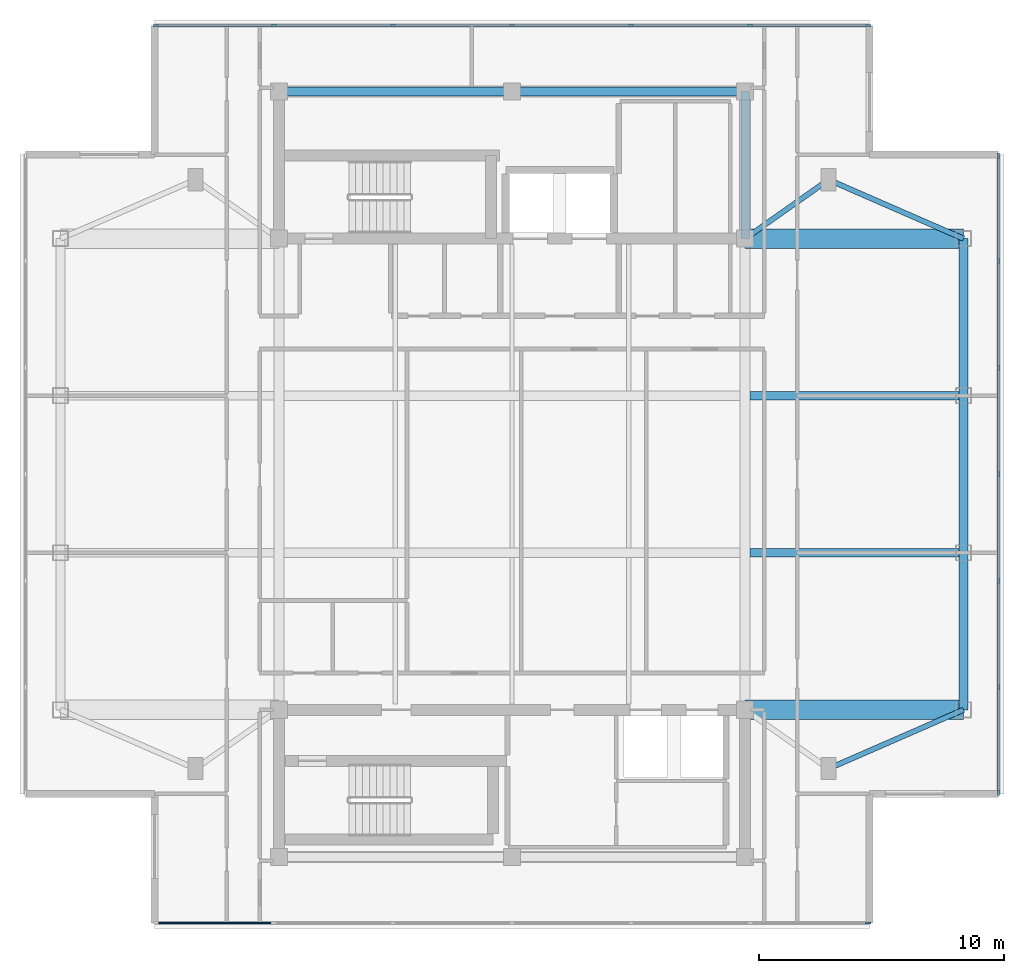
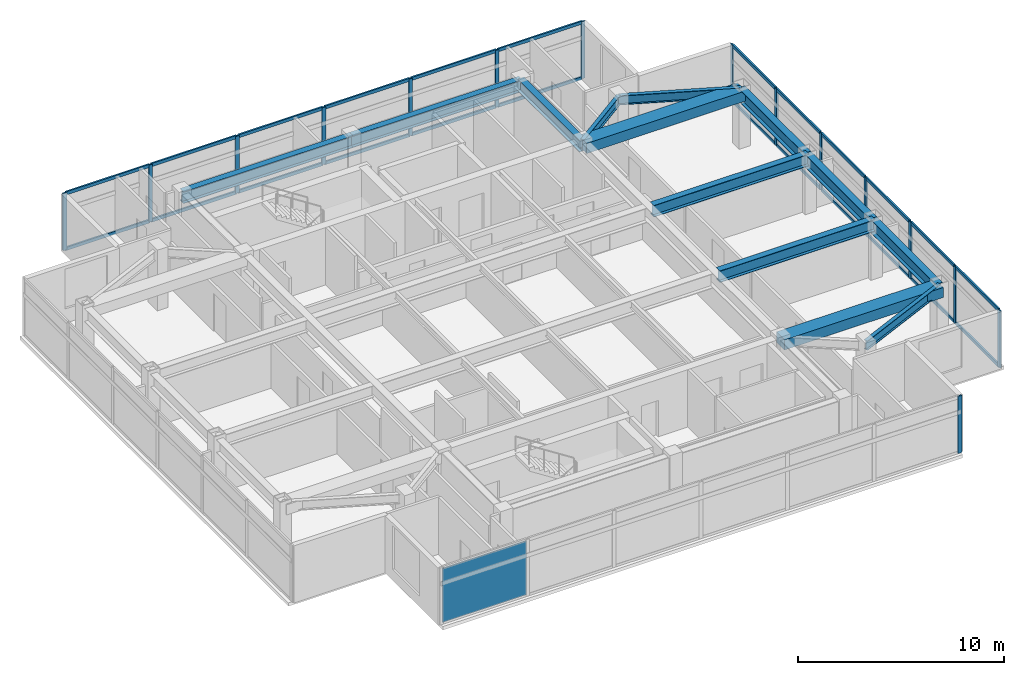
# One storey, part 3 of 10: 39 members, 13 beams, 1 plate, 3 elements without a shape of their own.
"""IFC4 building model written with IfcOpenShell, lengths in metres."""

from ifc_helpers import new_model, si_unit, direction, frame, origin, origin_2d, place, context, subcontext, project, spatial, rectangle, i_section, extrude, material, layer, layer_set, material_profile, profile_set, type_object, element, aggregate, save


model = new_model("IFC4")

# Units and contexts
model_context = context("Model", 3, precision=1e-05, world=origin(), true_north=direction((0.0, 1.0)))
body_context = subcontext(model_context, "Body", "Model", "MODEL_VIEW")
ifc_project = project(units=[si_unit("LENGTHUNIT", "METRE"), si_unit("AREAUNIT", "SQUARE_METRE"), si_unit("VOLUMEUNIT", "CUBIC_METRE"), si_unit("PLANEANGLEUNIT", "RADIAN"), si_unit("MASSUNIT", "GRAM", prefix="KILO")], contexts=[model_context])

# Site, building, storey
site_placement = place(None, origin())
site = spatial("IfcSite", under=ifc_project, at=site_placement, CompositionType="ELEMENT")
building_placement = place(site_placement, origin())
building = spatial("IfcBuilding", under=site, at=building_placement, Name="Mirazonda Arch Towers", CompositionType="ELEMENT")
storey_placement = place(building_placement, frame((0.0, 0.0, 249.10009765625)))
storey = spatial("IfcBuildingStorey", under=building, at=storey_placement, Name="L71", CompositionType="ELEMENT", Elevation=249.10009765625)

# Beams
ifc_material_1 = material(Name="Steel ASTM A992 Grade 50", Category="steel")
ifc_material_profile_1 = material_profile(ifc_material_1, i_section(OverallWidth=0.381103515625, OverallDepth=0.77294921875, WebThickness=0.0166015625, FlangeThickness=0.027099609375, at=origin_2d()), Name="W30X173")
ifc_profile_set_1 = profile_set([ifc_material_profile_1], Name="Steel ASTM A992 Grade 50")
beam_type_1 = type_object("IfcBeamType", Name="BM-EXT-W30X173", PredefinedType="USERDEFINED", material=ifc_profile_set_1)
beam_1_placement = place(storey_placement, frame((38.89990234375, 18.39990234375, 3.013427734375), z_axis=(0.0, 1.0, 0.0), x_axis=(-1.0, 0.0, 0.0)))
element("IfcBeam", 1, at=beam_1_placement, inside=storey, type_object=beam_type_1, Name="L71 Floor Beam BM-T1-L71-NS-E-18", ObjectType="GIRDER", PredefinedType="USERDEFINED", context=body_context, shape_type="SweptSolid", body=[
    extrude(i_section(OverallWidth=0.381103515625, OverallDepth=0.77294921875, WebThickness=0.0166015625, FlangeThickness=0.027099609375, at=origin_2d()), origin(), (0.0, 0.0, 1.0), 6.400146484375),
])
beam_2_placement = place(storey_placement, frame((38.89990234375, 24.800048828125, 3.013427734375), z_axis=(0.0, 1.0, 0.0), x_axis=(-1.0, 0.0, 0.0)))
element("IfcBeam", 2, at=beam_2_placement, inside=storey, type_object=beam_type_1, Name="L71 Floor Beam BM-T1-L71-NS-E-24", ObjectType="GIRDER", PredefinedType="USERDEFINED", context=body_context, shape_type="SweptSolid", body=[
    extrude(i_section(OverallWidth=0.381103515625, OverallDepth=0.77294921875, WebThickness=0.0166015625, FlangeThickness=0.027099609375, at=origin_2d()), origin(), (0.0, 0.0, 1.0), 6.39990234375),
])
beam_3_placement = place(storey_placement, frame((38.89990234375, 31.199951171875, 3.013427734375), z_axis=(0.0, 1.0, 0.0), x_axis=(-1.0, 0.0, 0.0)))
element("IfcBeam", 3, at=beam_3_placement, inside=storey, type_object=beam_type_1, Name="L71 Floor Beam BM-T1-L71-NS-E-31", ObjectType="GIRDER", PredefinedType="USERDEFINED", context=body_context, shape_type="SweptSolid", body=[
    extrude(i_section(OverallWidth=0.381103515625, OverallDepth=0.77294921875, WebThickness=0.0166015625, FlangeThickness=0.027099609375, at=origin_2d()), origin(), (0.0, 0.0, 1.0), 6.400146484375),
])
ifc_material_profile_2 = material_profile(ifc_material_1, i_section(OverallWidth=0.214111328125, OverallDepth=0.549072265625, WebThickness=0.0146484375, FlangeThickness=0.023681640625, at=origin_2d()), Name="W21X93")
ifc_profile_set_2 = profile_set([ifc_material_profile_2], Name="Steel ASTM A992 Grade 50")
beam_type_2 = type_object("IfcBeamType", Name="BM-INT-W21X93", PredefinedType="BEAM", material=ifc_profile_set_2)
beam_4_placement = place(storey_placement, frame((33.39990234375, 16.0, 3.12548828125), z_axis=(0.916545343703, 0.399930785183, 0.0), x_axis=(-0.399930785183, 0.916545343703, 0.0)))
element("IfcBeam", 4, at=beam_4_placement, inside=storey, type_object=beam_type_2, Name="L71 Floor Beam BM-T1-L71-PL-SE2", PredefinedType="BEAM", context=body_context, shape_type="SweptSolid", body=[
    extrude(i_section(OverallWidth=0.214111328125, OverallDepth=0.549072265625, WebThickness=0.0146484375, FlangeThickness=0.023681640625, at=origin_2d()), origin(), (0.0, 0.0, 1.0), 6.000732421875),
])
beam_5_placement = place(storey_placement, frame((33.39990234375, 40.0, 3.12548828125), z_axis=(-0.816971114901, -0.576678591087, 0.0), x_axis=(0.576678591087, -0.816971114901, 0.0)))
element("IfcBeam", 5, at=beam_5_placement, inside=storey, type_object=beam_type_2, Name="L71 Floor Beam BM-T1-L71-PL-NE1", PredefinedType="BEAM", context=body_context, shape_type="SweptSolid", body=[
    extrude(i_section(OverallWidth=0.214111328125, OverallDepth=0.549072265625, WebThickness=0.0146484375, FlangeThickness=0.023681640625, at=origin_2d()), origin(), (0.0, 0.0, 1.0), 4.16162109375),
])
beam_6_placement = place(storey_placement, frame((33.39990234375, 40.0, 3.12548828125), z_axis=(0.916545343703, -0.399930785183, 0.0), x_axis=(0.399930785183, 0.916545343703, 0.0)))
element("IfcBeam", 6, at=beam_6_placement, inside=storey, type_object=beam_type_2, Name="L71 Floor Beam BM-T1-L71-PL-NE2", PredefinedType="BEAM", context=body_context, shape_type="SweptSolid", body=[
    extrude(i_section(OverallWidth=0.214111328125, OverallDepth=0.549072265625, WebThickness=0.0146484375, FlangeThickness=0.023681640625, at=origin_2d()), origin(), (0.0, 0.0, 1.0), 6.000732421875),
])
ifc_material_profile_3 = material_profile(ifc_material_1, i_section(OverallWidth=0.35498046875, OverallDepth=0.696044921875, WebThickness=0.015380859375, FlangeThickness=0.02490234375, at=origin_2d()), Name="W27X146")
ifc_profile_set_3 = profile_set([ifc_material_profile_3], Name="Steel ASTM A992 Grade 50")
beam_type_3 = type_object("IfcBeamType", Name="BM-INT-W27X146", PredefinedType="BEAM", material=ifc_profile_set_3)
for number, where, z_axis, x_axis, name in (
    (7, (30.199951171875, 24.800048828125, 3.052001953125), (1.0, 0.0, 0.0), (0.0, 1.0, 0.0), "L71 Floor Beam BM-T1-L71-GE2"),
    (8, (30.199951171875, 31.199951171875, 3.052001953125), (1.0, 0.0, 0.0), (0.0, 1.0, 0.0), "L71 Floor Beam BM-T1-L71-GE3"),
):
    element("IfcBeam", number, at=place(storey_placement, frame(where, z_axis=z_axis, x_axis=x_axis)), inside=storey, type_object=beam_type_3, Name=name, PredefinedType="BEAM", context=body_context, shape_type="SweptSolid", body=[
        extrude(i_section(OverallWidth=0.35498046875, OverallDepth=0.696044921875, WebThickness=0.015380859375, FlangeThickness=0.02490234375, at=origin_2d()), origin(), (0.0, 0.0, 1.0), 8.699951171875),
    ])
for number, where, z_axis, x_axis, name in (
    (9, (11.0, 43.60009765625, 3.052001953125), (1.0, 0.0, 0.0), (0.0, 1.0, 0.0), "L71 Floor Beam BM-T1-L71-CN1"),
    (10, (20.5, 43.60009765625, 3.052001953125), (1.0, 0.0, 0.0), (0.0, 1.0, 0.0), "L71 Floor Beam BM-T1-L71-CN2"),
):
    element("IfcBeam", number, at=place(storey_placement, frame(where, z_axis=z_axis, x_axis=x_axis)), inside=storey, type_object=beam_type_3, Name=name, PredefinedType="BEAM", context=body_context, shape_type="SweptSolid", body=[
        extrude(i_section(OverallWidth=0.35498046875, OverallDepth=0.696044921875, WebThickness=0.015380859375, FlangeThickness=0.02490234375, at=origin_2d()), origin(), (0.0, 0.0, 1.0), 9.5),
    ])
beam_7_placement = place(storey_placement, frame((30.0, 37.60009765625, 3.052001953125), z_axis=(0.0, 1.0, 0.0), x_axis=(-1.0, 0.0, 0.0)))
element("IfcBeam", 11, at=beam_7_placement, inside=storey, type_object=beam_type_3, Name="L71 Floor Beam BM-T1-L71-CNE", PredefinedType="BEAM", context=body_context, shape_type="SweptSolid", body=[
    extrude(i_section(OverallWidth=0.35498046875, OverallDepth=0.696044921875, WebThickness=0.015380859375, FlangeThickness=0.02490234375, at=origin_2d()), origin(), (0.0, 0.0, 1.0), 6.0),
])
ifc_material_2 = material(Name="Concrete C60/75", Category="concrete")
ifc_material_profile_4 = material_profile(ifc_material_2, rectangle(XDim=0.800048828125, YDim=0.60009765625, at=origin_2d()), Name="RCCB800x600")
ifc_profile_set_4 = profile_set([ifc_material_profile_4], Name="Concrete C60/75")
beam_type_4 = type_object("IfcBeamType", Name="CB-INT-RCCB800x600", PredefinedType="SPANDREL", material=ifc_profile_set_4)
for number, where, z_axis, x_axis, name in (
    (12, (30.0, 37.60009765625, 3.099853515625), (1.0, 0.0, 0.0), (0.0, 1.0, 0.0), "L71 Floor Beam CBC-T1-L71-NE"),
    (13, (30.0, 18.39990234375, 3.099853515625), (1.0, 0.0, 0.0), (0.0, 1.0, 0.0), "L71 Floor Beam CBC-T1-L71-SE"),
):
    element("IfcBeam", number, at=place(storey_placement, frame(where, z_axis=z_axis, x_axis=x_axis)), inside=storey, type_object=beam_type_4, Name=name, PredefinedType="SPANDREL", context=body_context, shape_type="SweptSolid", body=[
        extrude(rectangle(XDim=0.800048828125, YDim=0.60009765625, at=origin_2d()), origin(), (0.0, 0.0, 1.0), 8.89990234375),
    ])

# Curtain wall, member
ifc_material_3 = material(Name="Anodised Aluminium and Low-E Glass", Category="aluminium")
curtain_wall_type = type_object("IfcCurtainWallType", Name="CW-OBS-LANTERN", PredefinedType="NOTDEFINED", material=ifc_material_3)
curtain_wall_1_placement = place(storey_placement, origin())
curtain_wall_1 = element("IfcCurtainWall", 14, at=curtain_wall_1_placement, inside=storey, type_object=curtain_wall_type, Name="L71 T1 S Facade CW-L71-T1-S", PredefinedType="NOTDEFINED")
ifc_material_4 = material(Name="Anodised Aluminium Alloy", Category="aluminium")
ifc_material_profile_5 = material_profile(ifc_material_4, rectangle(XDim=0.090087890625, YDim=0.2099609375, at=origin_2d()), Name="ALU-MULL-90x210")
ifc_profile_set_5 = profile_set([ifc_material_profile_5], Name="Anodised Aluminium Alloy")
member_type_1 = type_object("IfcMemberType", Name="MULL-CW-OBS-LANTERN", PredefinedType="MULLION", material=ifc_profile_set_5)
member_1_placement = place(storey_placement, frame((35.02001953125, 9.7099609375, 0.0), z_axis=(0.0, 0.0, 1.0), x_axis=(0.0, -1.0, 0.0)))
member_1 = element("IfcMember", 15, at=member_1_placement, type_object=member_type_1, Name="CW-110 mullion 1", PredefinedType="MULLION", context=body_context, shape_type="SweptSolid", body=[
    extrude(rectangle(XDim=0.090087890625, YDim=0.2099609375, at=origin_2d()), origin(), (0.0, 0.0, 1.0), 3.3798828125),
])

# Curtain wall, members
curtain_wall_2_placement = place(storey_placement, origin())
curtain_wall_2 = element("IfcCurtainWall", 16, at=curtain_wall_2_placement, inside=storey, type_object=curtain_wall_type, Name="L71 T1 E Facade CW-L71-T1-E", PredefinedType="NOTDEFINED")
member_2_placement = place(storey_placement, frame((40.330078125, 15.02001953125, 0.0), z_axis=(0.0, 0.0, 1.0), x_axis=(-1.0, 0.0, 0.0)))
member_2 = element("IfcMember", 17, at=member_2_placement, type_object=member_type_1, Name="CW-110 mullion 1", PredefinedType="MULLION", context=body_context, shape_type="SweptSolid", body=[
    extrude(rectangle(XDim=0.090087890625, YDim=0.2099609375, at=origin_2d()), origin(), (0.0, 0.0, 1.0), 3.3798828125),
])
member_3_placement = place(storey_placement, frame((40.330078125, 19.316650390625, 0.0), z_axis=(0.0, 0.0, 1.0), x_axis=(-1.0, 0.0, 0.0)))
member_3 = element("IfcMember", 18, at=member_3_placement, type_object=member_type_1, Name="CW-110 mullion 2", PredefinedType="MULLION", context=body_context, shape_type="SweptSolid", body=[
    extrude(rectangle(XDim=0.090087890625, YDim=0.2099609375, at=origin_2d()), origin(), (0.0, 0.0, 1.0), 3.3798828125),
])
member_4_placement = place(storey_placement, frame((40.330078125, 23.658447265625, 0.0), z_axis=(0.0, 0.0, 1.0), x_axis=(-1.0, 0.0, 0.0)))
member_4 = element("IfcMember", 19, at=member_4_placement, type_object=member_type_1, Name="CW-110 mullion 3", PredefinedType="MULLION", context=body_context, shape_type="SweptSolid", body=[
    extrude(rectangle(XDim=0.090087890625, YDim=0.2099609375, at=origin_2d()), origin(), (0.0, 0.0, 1.0), 3.3798828125),
])
member_5_placement = place(storey_placement, frame((40.330078125, 28.0, 0.0), z_axis=(0.0, 0.0, 1.0), x_axis=(-1.0, 0.0, 0.0)))
member_5 = element("IfcMember", 20, at=member_5_placement, type_object=member_type_1, Name="CW-110 mullion 4", PredefinedType="MULLION", context=body_context, shape_type="SweptSolid", body=[
    extrude(rectangle(XDim=0.090087890625, YDim=0.2099609375, at=origin_2d()), origin(), (0.0, 0.0, 1.0), 3.3798828125),
])
member_6_placement = place(storey_placement, frame((40.330078125, 32.341552734375, 0.0), z_axis=(0.0, 0.0, 1.0), x_axis=(-1.0, 0.0, 0.0)))
member_6 = element("IfcMember", 21, at=member_6_placement, type_object=member_type_1, Name="CW-110 mullion 5", PredefinedType="MULLION", context=body_context, shape_type="SweptSolid", body=[
    extrude(rectangle(XDim=0.090087890625, YDim=0.2099609375, at=origin_2d()), origin(), (0.0, 0.0, 1.0), 3.3798828125),
])
member_7_placement = place(storey_placement, frame((40.330078125, 36.683349609375, 0.0), z_axis=(0.0, 0.0, 1.0), x_axis=(-1.0, 0.0, 0.0)))
member_7 = element("IfcMember", 22, at=member_7_placement, type_object=member_type_1, Name="CW-110 mullion 6", PredefinedType="MULLION", context=body_context, shape_type="SweptSolid", body=[
    extrude(rectangle(XDim=0.090087890625, YDim=0.2099609375, at=origin_2d()), origin(), (0.0, 0.0, 1.0), 3.3798828125),
])
member_8_placement = place(storey_placement, frame((40.330078125, 40.97998046875, 0.0), z_axis=(0.0, 0.0, 1.0), x_axis=(-1.0, 0.0, 0.0)))
member_8 = element("IfcMember", 23, at=member_8_placement, type_object=member_type_1, Name="CW-110 mullion 7", PredefinedType="MULLION", context=body_context, shape_type="SweptSolid", body=[
    extrude(rectangle(XDim=0.090087890625, YDim=0.2099609375, at=origin_2d()), origin(), (0.0, 0.0, 1.0), 3.3798828125),
])

curtain_wall_3_placement = place(storey_placement, origin())
curtain_wall_3 = element("IfcCurtainWall", 24, at=curtain_wall_3_placement, inside=storey, type_object=curtain_wall_type, Name="L71 T1 N Facade CW-L71-T1-N", PredefinedType="NOTDEFINED")
member_9_placement = place(storey_placement, frame((5.97998046875, 46.2900390625, 0.0), z_axis=(0.0, 0.0, 1.0), x_axis=(0.0, 1.0, 0.0)))
member_9 = element("IfcMember", 25, at=member_9_placement, type_object=member_type_1, Name="CW-110 mullion 1", PredefinedType="MULLION", context=body_context, shape_type="SweptSolid", body=[
    extrude(rectangle(XDim=0.090087890625, YDim=0.2099609375, at=origin_2d()), origin(), (0.0, 0.0, 1.0), 3.3798828125),
])
member_10_placement = place(storey_placement, frame((10.7900390625, 46.2900390625, 0.0), z_axis=(0.0, 0.0, 1.0), x_axis=(0.0, 1.0, 0.0)))
member_10 = element("IfcMember", 26, at=member_10_placement, type_object=member_type_1, Name="CW-110 mullion 2", PredefinedType="MULLION", context=body_context, shape_type="SweptSolid", body=[
    extrude(rectangle(XDim=0.090087890625, YDim=0.2099609375, at=origin_2d()), origin(), (0.0, 0.0, 1.0), 3.3798828125),
])
member_11_placement = place(storey_placement, frame((15.64501953125, 46.2900390625, 0.0), z_axis=(0.0, 0.0, 1.0), x_axis=(0.0, 1.0, 0.0)))
member_11 = element("IfcMember", 27, at=member_11_placement, type_object=member_type_1, Name="CW-110 mullion 3", PredefinedType="MULLION", context=body_context, shape_type="SweptSolid", body=[
    extrude(rectangle(XDim=0.090087890625, YDim=0.2099609375, at=origin_2d()), origin(), (0.0, 0.0, 1.0), 3.3798828125),
])
member_12_placement = place(storey_placement, frame((20.5, 46.2900390625, 0.0), z_axis=(0.0, 0.0, 1.0), x_axis=(0.0, 1.0, 0.0)))
member_12 = element("IfcMember", 28, at=member_12_placement, type_object=member_type_1, Name="CW-110 mullion 4", PredefinedType="MULLION", context=body_context, shape_type="SweptSolid", body=[
    extrude(rectangle(XDim=0.090087890625, YDim=0.2099609375, at=origin_2d()), origin(), (0.0, 0.0, 1.0), 3.3798828125),
])
member_13_placement = place(storey_placement, frame((25.35498046875, 46.2900390625, 0.0), z_axis=(0.0, 0.0, 1.0), x_axis=(0.0, 1.0, 0.0)))
member_13 = element("IfcMember", 29, at=member_13_placement, type_object=member_type_1, Name="CW-110 mullion 5", PredefinedType="MULLION", context=body_context, shape_type="SweptSolid", body=[
    extrude(rectangle(XDim=0.090087890625, YDim=0.2099609375, at=origin_2d()), origin(), (0.0, 0.0, 1.0), 3.3798828125),
])
member_14_placement = place(storey_placement, frame((30.2099609375, 46.2900390625, 0.0), z_axis=(0.0, 0.0, 1.0), x_axis=(0.0, 1.0, 0.0)))
member_14 = element("IfcMember", 30, at=member_14_placement, type_object=member_type_1, Name="CW-110 mullion 6", PredefinedType="MULLION", context=body_context, shape_type="SweptSolid", body=[
    extrude(rectangle(XDim=0.090087890625, YDim=0.2099609375, at=origin_2d()), origin(), (0.0, 0.0, 1.0), 3.3798828125),
])
member_15_placement = place(storey_placement, frame((35.02001953125, 46.2900390625, 0.0), z_axis=(0.0, 0.0, 1.0), x_axis=(0.0, 1.0, 0.0)))
member_15 = element("IfcMember", 31, at=member_15_placement, type_object=member_type_1, Name="CW-110 mullion 7", PredefinedType="MULLION", context=body_context, shape_type="SweptSolid", body=[
    extrude(rectangle(XDim=0.090087890625, YDim=0.2099609375, at=origin_2d()), origin(), (0.0, 0.0, 1.0), 3.3798828125),
])

# Member
ifc_material_profile_6 = material_profile(ifc_material_4, rectangle(XDim=0.090087890625, YDim=0.18994140625, at=origin_2d()), Name="ALU-TRAN-90x190")
ifc_profile_set_6 = profile_set([ifc_material_profile_6], Name="Anodised Aluminium Alloy")
member_type_2 = type_object("IfcMemberType", Name="TRAN-CW-OBS-LANTERN", PredefinedType="USERDEFINED", material=ifc_profile_set_6)
member_16_placement = place(storey_placement, frame((40.330078125, 15.06494140625, 0.044921875), z_axis=(0.0, 1.0, 0.0), x_axis=(-1.0, 0.0, 0.0)))
member_16 = element("IfcMember", 32, at=member_16_placement, type_object=member_type_2, Name="CW-110 transom 1.1", ObjectType="TRANSOM", PredefinedType="USERDEFINED", context=body_context, shape_type="SweptSolid", body=[
    extrude(rectangle(XDim=0.090087890625, YDim=0.18994140625, at=origin_2d()), origin(), (0.0, 0.0, 1.0), 4.206787109375),
])

member_17_placement = place(storey_placement, frame((40.330078125, 15.06494140625, 3.3349609375), z_axis=(0.0, 1.0, 0.0), x_axis=(-1.0, 0.0, 0.0)))
member_17 = element("IfcMember", 33, at=member_17_placement, type_object=member_type_2, Name="CW-110 transom 1.2", ObjectType="TRANSOM", PredefinedType="USERDEFINED", context=body_context, shape_type="SweptSolid", body=[
    extrude(rectangle(XDim=0.090087890625, YDim=0.18994140625, at=origin_2d()), origin(), (0.0, 0.0, 1.0), 4.206787109375),
])

member_18_placement = place(storey_placement, frame((40.330078125, 19.361572265625, 0.044921875), z_axis=(0.0, 1.0, 0.0), x_axis=(-1.0, 0.0, 0.0)))
member_18 = element("IfcMember", 34, at=member_18_placement, type_object=member_type_2, Name="CW-110 transom 2.1", ObjectType="TRANSOM", PredefinedType="USERDEFINED", context=body_context, shape_type="SweptSolid", body=[
    extrude(rectangle(XDim=0.090087890625, YDim=0.18994140625, at=origin_2d()), origin(), (0.0, 0.0, 1.0), 4.251708984375),
])

member_19_placement = place(storey_placement, frame((40.330078125, 19.361572265625, 3.3349609375), z_axis=(0.0, 1.0, 0.0), x_axis=(-1.0, 0.0, 0.0)))
member_19 = element("IfcMember", 35, at=member_19_placement, type_object=member_type_2, Name="CW-110 transom 2.2", ObjectType="TRANSOM", PredefinedType="USERDEFINED", context=body_context, shape_type="SweptSolid", body=[
    extrude(rectangle(XDim=0.090087890625, YDim=0.18994140625, at=origin_2d()), origin(), (0.0, 0.0, 1.0), 4.251708984375),
])

member_20_placement = place(storey_placement, frame((40.330078125, 23.703369140625, 0.044921875), z_axis=(0.0, 1.0, 0.0), x_axis=(-1.0, 0.0, 0.0)))
member_20 = element("IfcMember", 36, at=member_20_placement, type_object=member_type_2, Name="CW-110 transom 3.1", ObjectType="TRANSOM", PredefinedType="USERDEFINED", context=body_context, shape_type="SweptSolid", body=[
    extrude(rectangle(XDim=0.090087890625, YDim=0.18994140625, at=origin_2d()), origin(), (0.0, 0.0, 1.0), 4.251708984375),
])

member_21_placement = place(storey_placement, frame((40.330078125, 23.703369140625, 3.3349609375), z_axis=(0.0, 1.0, 0.0), x_axis=(-1.0, 0.0, 0.0)))
member_21 = element("IfcMember", 37, at=member_21_placement, type_object=member_type_2, Name="CW-110 transom 3.2", ObjectType="TRANSOM", PredefinedType="USERDEFINED", context=body_context, shape_type="SweptSolid", body=[
    extrude(rectangle(XDim=0.090087890625, YDim=0.18994140625, at=origin_2d()), origin(), (0.0, 0.0, 1.0), 4.251708984375),
])

member_22_placement = place(storey_placement, frame((40.330078125, 28.044921875, 0.044921875), z_axis=(0.0, 1.0, 0.0), x_axis=(-1.0, 0.0, 0.0)))
member_22 = element("IfcMember", 38, at=member_22_placement, type_object=member_type_2, Name="CW-110 transom 4.1", ObjectType="TRANSOM", PredefinedType="USERDEFINED", context=body_context, shape_type="SweptSolid", body=[
    extrude(rectangle(XDim=0.090087890625, YDim=0.18994140625, at=origin_2d()), origin(), (0.0, 0.0, 1.0), 4.251708984375),
])

member_23_placement = place(storey_placement, frame((40.330078125, 28.044921875, 3.3349609375), z_axis=(0.0, 1.0, 0.0), x_axis=(-1.0, 0.0, 0.0)))
member_23 = element("IfcMember", 39, at=member_23_placement, type_object=member_type_2, Name="CW-110 transom 4.2", ObjectType="TRANSOM", PredefinedType="USERDEFINED", context=body_context, shape_type="SweptSolid", body=[
    extrude(rectangle(XDim=0.090087890625, YDim=0.18994140625, at=origin_2d()), origin(), (0.0, 0.0, 1.0), 4.251708984375),
])

member_24_placement = place(storey_placement, frame((40.330078125, 32.38671875, 0.044921875), z_axis=(0.0, 1.0, 0.0), x_axis=(-1.0, 0.0, 0.0)))
member_24 = element("IfcMember", 40, at=member_24_placement, type_object=member_type_2, Name="CW-110 transom 5.1", ObjectType="TRANSOM", PredefinedType="USERDEFINED", context=body_context, shape_type="SweptSolid", body=[
    extrude(rectangle(XDim=0.090087890625, YDim=0.18994140625, at=origin_2d()), origin(), (0.0, 0.0, 1.0), 4.251708984375),
])

member_25_placement = place(storey_placement, frame((40.330078125, 32.38671875, 3.3349609375), z_axis=(0.0, 1.0, 0.0), x_axis=(-1.0, 0.0, 0.0)))
member_25 = element("IfcMember", 41, at=member_25_placement, type_object=member_type_2, Name="CW-110 transom 5.2", ObjectType="TRANSOM", PredefinedType="USERDEFINED", context=body_context, shape_type="SweptSolid", body=[
    extrude(rectangle(XDim=0.090087890625, YDim=0.18994140625, at=origin_2d()), origin(), (0.0, 0.0, 1.0), 4.251708984375),
])

member_26_placement = place(storey_placement, frame((40.330078125, 36.728271484375, 0.044921875), z_axis=(0.0, 1.0, 0.0), x_axis=(-1.0, 0.0, 0.0)))
member_26 = element("IfcMember", 42, at=member_26_placement, type_object=member_type_2, Name="CW-110 transom 6.1", ObjectType="TRANSOM", PredefinedType="USERDEFINED", context=body_context, shape_type="SweptSolid", body=[
    extrude(rectangle(XDim=0.090087890625, YDim=0.18994140625, at=origin_2d()), origin(), (0.0, 0.0, 1.0), 4.206787109375),
])

member_27_placement = place(storey_placement, frame((40.330078125, 36.728271484375, 3.3349609375), z_axis=(0.0, 1.0, 0.0), x_axis=(-1.0, 0.0, 0.0)))
member_27 = element("IfcMember", 43, at=member_27_placement, type_object=member_type_2, Name="CW-110 transom 6.2", ObjectType="TRANSOM", PredefinedType="USERDEFINED", context=body_context, shape_type="SweptSolid", body=[
    extrude(rectangle(XDim=0.090087890625, YDim=0.18994140625, at=origin_2d()), origin(), (0.0, 0.0, 1.0), 4.206787109375),
])

aggregate(curtain_wall_2, [member_2, member_3, member_4, member_5, member_6, member_7, member_8, member_16, member_17, member_18, member_19, member_20, member_21, member_22, member_23, member_24, member_25, member_26, member_27])

member_28_placement = place(storey_placement, frame((6.02490234375, 46.2900390625, 0.044921875), z_axis=(1.0, 0.0, 0.0), x_axis=(0.0, 1.0, 0.0)))
member_28 = element("IfcMember", 44, at=member_28_placement, type_object=member_type_2, Name="CW-110 transom 1.1", ObjectType="TRANSOM", PredefinedType="USERDEFINED", context=body_context, shape_type="SweptSolid", body=[
    extrude(rectangle(XDim=0.090087890625, YDim=0.18994140625, at=origin_2d()), origin(), (0.0, 0.0, 1.0), 4.72021484375),
])

member_29_placement = place(storey_placement, frame((6.02490234375, 46.2900390625, 3.3349609375), z_axis=(1.0, 0.0, 0.0), x_axis=(0.0, 1.0, 0.0)))
member_29 = element("IfcMember", 45, at=member_29_placement, type_object=member_type_2, Name="CW-110 transom 1.2", ObjectType="TRANSOM", PredefinedType="USERDEFINED", context=body_context, shape_type="SweptSolid", body=[
    extrude(rectangle(XDim=0.090087890625, YDim=0.18994140625, at=origin_2d()), origin(), (0.0, 0.0, 1.0), 4.72021484375),
])

member_30_placement = place(storey_placement, frame((10.8349609375, 46.2900390625, 0.044921875), z_axis=(1.0, 0.0, 0.0), x_axis=(0.0, 1.0, 0.0)))
member_30 = element("IfcMember", 46, at=member_30_placement, type_object=member_type_2, Name="CW-110 transom 2.1", ObjectType="TRANSOM", PredefinedType="USERDEFINED", context=body_context, shape_type="SweptSolid", body=[
    extrude(rectangle(XDim=0.090087890625, YDim=0.18994140625, at=origin_2d()), origin(), (0.0, 0.0, 1.0), 4.76513671875),
])

member_31_placement = place(storey_placement, frame((10.8349609375, 46.2900390625, 3.3349609375), z_axis=(1.0, 0.0, 0.0), x_axis=(0.0, 1.0, 0.0)))
member_31 = element("IfcMember", 47, at=member_31_placement, type_object=member_type_2, Name="CW-110 transom 2.2", ObjectType="TRANSOM", PredefinedType="USERDEFINED", context=body_context, shape_type="SweptSolid", body=[
    extrude(rectangle(XDim=0.090087890625, YDim=0.18994140625, at=origin_2d()), origin(), (0.0, 0.0, 1.0), 4.76513671875),
])

member_32_placement = place(storey_placement, frame((15.68994140625, 46.2900390625, 0.044921875), z_axis=(1.0, 0.0, 0.0), x_axis=(0.0, 1.0, 0.0)))
member_32 = element("IfcMember", 48, at=member_32_placement, type_object=member_type_2, Name="CW-110 transom 3.1", ObjectType="TRANSOM", PredefinedType="USERDEFINED", context=body_context, shape_type="SweptSolid", body=[
    extrude(rectangle(XDim=0.090087890625, YDim=0.18994140625, at=origin_2d()), origin(), (0.0, 0.0, 1.0), 4.76513671875),
])

member_33_placement = place(storey_placement, frame((15.68994140625, 46.2900390625, 3.3349609375), z_axis=(1.0, 0.0, 0.0), x_axis=(0.0, 1.0, 0.0)))
member_33 = element("IfcMember", 49, at=member_33_placement, type_object=member_type_2, Name="CW-110 transom 3.2", ObjectType="TRANSOM", PredefinedType="USERDEFINED", context=body_context, shape_type="SweptSolid", body=[
    extrude(rectangle(XDim=0.090087890625, YDim=0.18994140625, at=origin_2d()), origin(), (0.0, 0.0, 1.0), 4.76513671875),
])

member_34_placement = place(storey_placement, frame((20.544921875, 46.2900390625, 0.044921875), z_axis=(1.0, 0.0, 0.0), x_axis=(0.0, 1.0, 0.0)))
member_34 = element("IfcMember", 50, at=member_34_placement, type_object=member_type_2, Name="CW-110 transom 4.1", ObjectType="TRANSOM", PredefinedType="USERDEFINED", context=body_context, shape_type="SweptSolid", body=[
    extrude(rectangle(XDim=0.090087890625, YDim=0.18994140625, at=origin_2d()), origin(), (0.0, 0.0, 1.0), 4.76513671875),
])

member_35_placement = place(storey_placement, frame((20.544921875, 46.2900390625, 3.3349609375), z_axis=(1.0, 0.0, 0.0), x_axis=(0.0, 1.0, 0.0)))
member_35 = element("IfcMember", 51, at=member_35_placement, type_object=member_type_2, Name="CW-110 transom 4.2", ObjectType="TRANSOM", PredefinedType="USERDEFINED", context=body_context, shape_type="SweptSolid", body=[
    extrude(rectangle(XDim=0.090087890625, YDim=0.18994140625, at=origin_2d()), origin(), (0.0, 0.0, 1.0), 4.76513671875),
])

member_36_placement = place(storey_placement, frame((25.39990234375, 46.2900390625, 0.044921875), z_axis=(1.0, 0.0, 0.0), x_axis=(0.0, 1.0, 0.0)))
member_36 = element("IfcMember", 52, at=member_36_placement, type_object=member_type_2, Name="CW-110 transom 5.1", ObjectType="TRANSOM", PredefinedType="USERDEFINED", context=body_context, shape_type="SweptSolid", body=[
    extrude(rectangle(XDim=0.090087890625, YDim=0.18994140625, at=origin_2d()), origin(), (0.0, 0.0, 1.0), 4.76513671875),
])

member_37_placement = place(storey_placement, frame((25.39990234375, 46.2900390625, 3.3349609375), z_axis=(1.0, 0.0, 0.0), x_axis=(0.0, 1.0, 0.0)))
member_37 = element("IfcMember", 53, at=member_37_placement, type_object=member_type_2, Name="CW-110 transom 5.2", ObjectType="TRANSOM", PredefinedType="USERDEFINED", context=body_context, shape_type="SweptSolid", body=[
    extrude(rectangle(XDim=0.090087890625, YDim=0.18994140625, at=origin_2d()), origin(), (0.0, 0.0, 1.0), 4.76513671875),
])

member_38_placement = place(storey_placement, frame((30.2548828125, 46.2900390625, 0.044921875), z_axis=(1.0, 0.0, 0.0), x_axis=(0.0, 1.0, 0.0)))
member_38 = element("IfcMember", 54, at=member_38_placement, type_object=member_type_2, Name="CW-110 transom 6.1", ObjectType="TRANSOM", PredefinedType="USERDEFINED", context=body_context, shape_type="SweptSolid", body=[
    extrude(rectangle(XDim=0.090087890625, YDim=0.18994140625, at=origin_2d()), origin(), (0.0, 0.0, 1.0), 4.72021484375),
])

member_39_placement = place(storey_placement, frame((30.2548828125, 46.2900390625, 3.3349609375), z_axis=(1.0, 0.0, 0.0), x_axis=(0.0, 1.0, 0.0)))
member_39 = element("IfcMember", 55, at=member_39_placement, type_object=member_type_2, Name="CW-110 transom 6.2", ObjectType="TRANSOM", PredefinedType="USERDEFINED", context=body_context, shape_type="SweptSolid", body=[
    extrude(rectangle(XDim=0.090087890625, YDim=0.18994140625, at=origin_2d()), origin(), (0.0, 0.0, 1.0), 4.72021484375),
])

aggregate(curtain_wall_3, [member_9, member_10, member_11, member_12, member_13, member_14, member_15, member_28, member_29, member_30, member_31, member_32, member_33, member_34, member_35, member_36, member_37, member_38, member_39])

# Plate
ifc_material_5 = material(Name="Insulated Low-E Solar Glass", Category="glass")
ifc_layer = layer(ifc_material_5, 0.048095703125, Name="PAN-CW-OBS-LANTERN")
ifc_layer_set = layer_set([ifc_layer], Name="Insulated Low-E Solar Glass")
plate_type = type_object("IfcPlateType", Name="PAN-CW-OBS-LANTERN", PredefinedType="CURTAIN_PANEL", material=ifc_layer_set)
plate_placement = place(storey_placement, frame((8.385009765625, 9.7099609375, 0.08984375), z_axis=(0.0, 0.0, 1.0), x_axis=(-1.0, 0.0, 0.0)))
plate = element("IfcPlate", 56, at=plate_placement, type_object=plate_type, Name="CW-110 panel 6.1", PredefinedType="CURTAIN_PANEL", context=body_context, shape_type="SweptSolid", body=[
    extrude(rectangle(XDim=4.719970703125, YDim=0.048095703125, at=origin_2d()), origin(), (0.0, 0.0, 1.0), 3.199951171875),
])

aggregate(curtain_wall_1, [member_1, plate])

save(model, "model.ifc")
